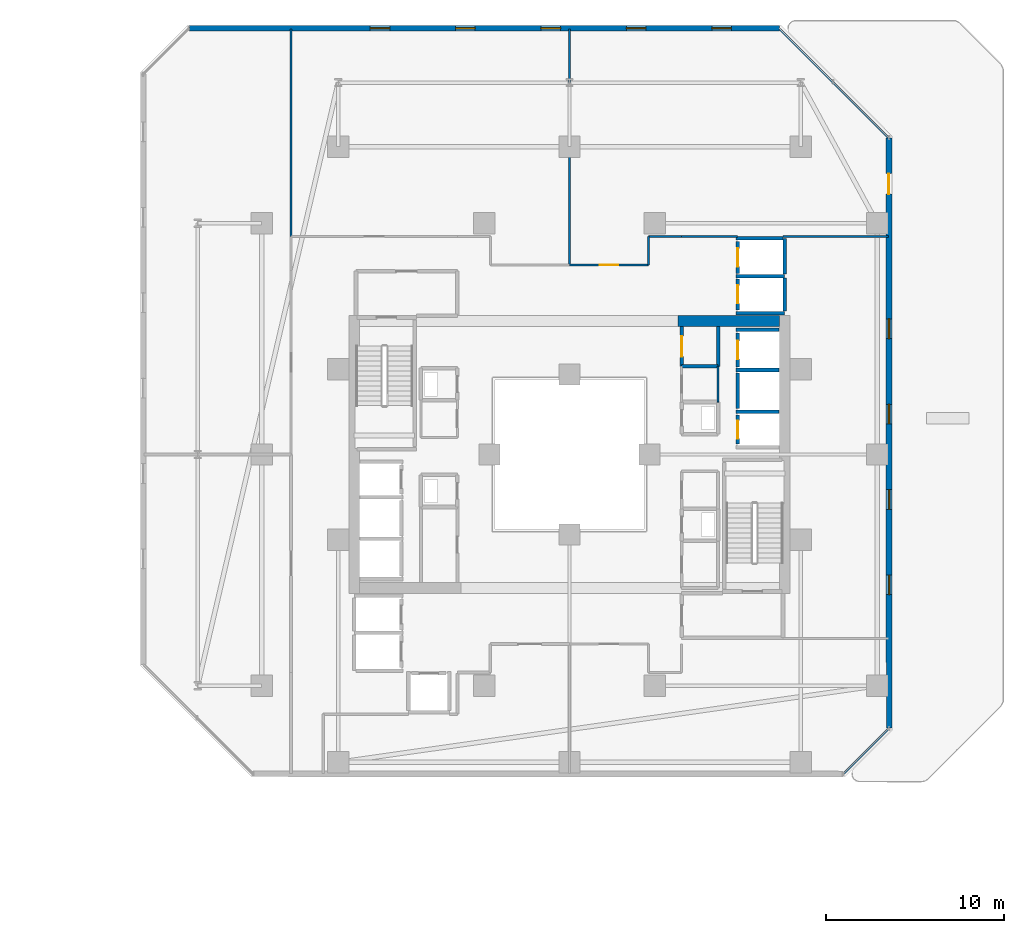
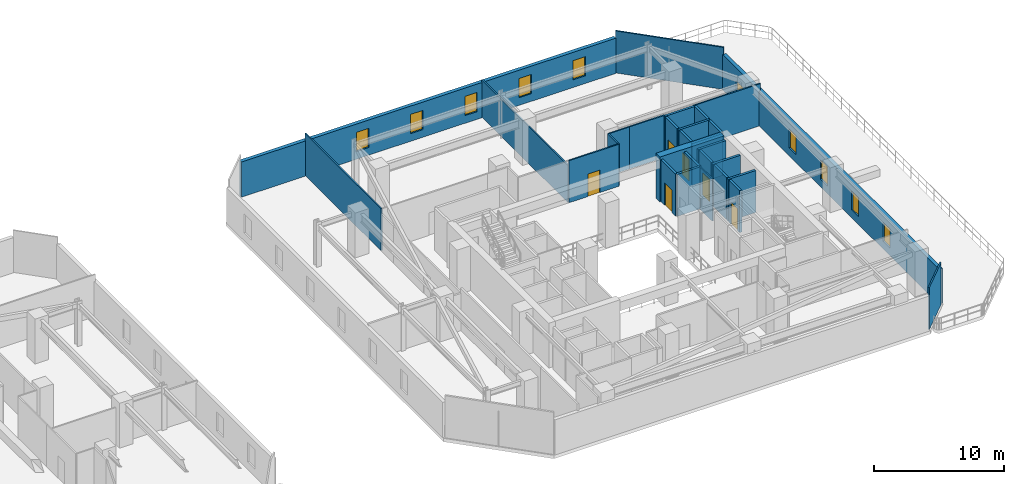
# One storey, part 22 of 30: 29 walls, 9 windows, 7 doors, 16 openings.
"""IFC4 building model written with IfcOpenShell, lengths in metres."""

from ifc_helpers import new_model, si_unit, direction, frame, frame_2d, origin, place, context, subcontext, project, spatial, rectangle, extrude, material, layer, layer_set, type_object, element, fill, save


model = new_model("IFC4")

# Units and contexts
model_context = context("Model", 3, precision=1e-05, world=origin(), true_north=direction((0.0, 1.0)))
body_context = subcontext(model_context, "Body", "Model", "MODEL_VIEW")
ifc_project = project(units=[si_unit("LENGTHUNIT", "METRE"), si_unit("AREAUNIT", "SQUARE_METRE"), si_unit("VOLUMEUNIT", "CUBIC_METRE"), si_unit("PLANEANGLEUNIT", "RADIAN"), si_unit("MASSUNIT", "GRAM", prefix="KILO")], contexts=[model_context])

# Site, building, storey
site_placement = place(None, origin())
site = spatial("IfcSite", under=ifc_project, at=site_placement, CompositionType="ELEMENT")
building_placement = place(site_placement, origin())
building = spatial("IfcBuilding", under=site, at=building_placement, Name="Thornwick Lancets Civic Towers", CompositionType="ELEMENT")
storey_placement = place(building_placement, frame((0.0, 0.0, 75.89990234375)))
storey = spatial("IfcBuildingStorey", under=building, at=storey_placement, Name="L19", CompositionType="ELEMENT", Elevation=75.89990234375)

# Wall, opening, door
ifc_material_1 = material(Name="Concrete blockwork C40/50", Category="masonry")
ifc_layer_1 = layer(ifc_material_1, 0.199951171875, Name="Concrete blockwork C40/50")
ifc_layer_set_1 = layer_set([ifc_layer_1], Name="Concrete blockwork C40/50")
wall_type_1 = type_object("IfcWallType", Name="WALL_COMP_200", PredefinedType="STANDARD", material=ifc_layer_set_1)
wall_1_placement = place(storey_placement, frame((97.949951171875, 29.219970703125, 0.0), z_axis=(0.0, 0.0, 1.0), x_axis=(0.0, -1.0, 0.0)))
wall_1 = element("IfcWall", 1, at=wall_1_placement, inside=storey, type_object=wall_type_1, Name="L19 Hoistway Front Wall FL-B1", PredefinedType="STANDARD", context=body_context, shape_type="SweptSolid", body=[
    extrude(rectangle(XDim=1.639892578125, YDim=0.199951171875, at=frame_2d((0.81982421875, 0.0))), origin(), (0.0, 0.0, 1.0), 3.940185546875),
])
opening_1_placement = place(wall_1_placement, frame((0.31005859375, 0.0, 0.0)))
opening_1 = element("IfcOpeningElement", 2, at=opening_1_placement, cuts=wall_1, Name="Opening LD-FL-B1", PredefinedType="OPENING", context=body_context, shape_type="SweptSolid", body=[
    extrude(rectangle(XDim=1.02001953125, YDim=2.06005859375, at=frame_2d((0.510009765625, 1.030029296875))), frame((0.0, 0.10986328125, 0.0), z_axis=(0.0, -1.0, 0.0), x_axis=(1.0, 0.0, 0.0)), (0.0, 0.0, 1.0), 0.219970703125),
])
ifc_material_2 = material(Name="Brushed bronze stainless steel", Category="steel")
door_type_1 = type_object("IfcDoorType", Name="DOOR_LIFT_SLIDE", OperationType="SLIDING_TO_LEFT", PredefinedType="DOOR", material=ifc_material_2)
door_1_placement = place(opening_1_placement, origin())
door_1 = element("IfcDoor", 3, at=door_1_placement, inside=storey, type_object=door_type_1, Name="L19 Sliding Lift Landing Door LD-FL-B1", OperationType="SLIDING_TO_LEFT", OverallHeight=2.06005859375, OverallWidth=1.02001953125, PredefinedType="DOOR", context=body_context, shape_type="SweptSolid", body=[
    extrude(rectangle(XDim=1.02001953125, YDim=2.06005859375, at=frame_2d((0.510009765625, 1.030029296875))), frame((0.0, 0.02490234375, 0.0), z_axis=(0.0, -1.0, 0.0), x_axis=(1.0, 0.0, 0.0)), (0.0, 0.0, 1.0), 0.050048828125),
])
fill(opening_1, door_1)

# Wall
wall_2_placement = place(storey_placement, frame((97.949951171875, 31.570068359375, 0.0), z_axis=(0.0, 0.0, 1.0), x_axis=(0.0, -1.0, 0.0)))
element("IfcWall", 4, at=wall_2_placement, inside=storey, type_object=wall_type_1, Name="L19 Hoistway Front Wall PL-BH1", PredefinedType="STANDARD", context=body_context, shape_type="SweptSolid", body=[
    extrude(rectangle(XDim=1.989990234375, YDim=0.199951171875, at=frame_2d((0.9951171875, 0.0))), origin(), (0.0, 0.0, 1.0), 3.940185546875),
])

# Wall, opening, door
wall_3_placement = place(storey_placement, frame((97.949951171875, 33.820068359375, 0.0), z_axis=(0.0, 0.0, 1.0), x_axis=(0.0, -1.0, 0.0)))
wall_3 = element("IfcWall", 5, at=wall_3_placement, inside=storey, type_object=wall_type_1, Name="L19 Hoistway Front Wall PL-BL1", PredefinedType="STANDARD", context=body_context, shape_type="SweptSolid", body=[
    extrude(rectangle(XDim=1.89013671875, YDim=0.199951171875, at=frame_2d((0.945068359375, 0.0))), origin(), (0.0, 0.0, 1.0), 3.940185546875),
])
opening_2_placement = place(wall_3_placement, frame((0.43505859375, 0.0, 0.0)))
opening_2 = element("IfcOpeningElement", 6, at=opening_2_placement, cuts=wall_3, Name="Opening LD-PL-BL1", PredefinedType="OPENING", context=body_context, shape_type="SweptSolid", body=[
    extrude(rectangle(XDim=1.02001953125, YDim=2.06005859375, at=frame_2d((0.510009765625, 1.030029296875))), frame((0.0, 0.10986328125, 0.0), z_axis=(0.0, -1.0, 0.0), x_axis=(1.0, 0.0, 0.0)), (0.0, 0.0, 1.0), 0.219970703125),
])
door_2_placement = place(opening_2_placement, origin())
door_2 = element("IfcDoor", 7, at=door_2_placement, inside=storey, type_object=door_type_1, Name="L19 Sliding Lift Landing Door LD-PL-BL1", OperationType="SLIDING_TO_LEFT", OverallHeight=2.06005859375, OverallWidth=1.02001953125, PredefinedType="DOOR", context=body_context, shape_type="SweptSolid", body=[
    extrude(rectangle(XDim=1.02001953125, YDim=2.06005859375, at=frame_2d((0.510009765625, 1.030029296875))), frame((0.0, 0.02490234375, 0.0), z_axis=(0.0, -1.0, 0.0), x_axis=(1.0, 0.0, 0.0)), (0.0, 0.0, 1.0), 0.050048828125),
])
fill(opening_2, door_2)

wall_4_placement = place(storey_placement, frame((97.949951171875, 36.8701171875, 0.0), z_axis=(0.0, 0.0, 1.0), x_axis=(0.0, -1.0, 0.0)))
wall_4 = element("IfcWall", 8, at=wall_4_placement, inside=storey, type_object=wall_type_1, Name="L19 Hoistway Front Wall PL-BL2", PredefinedType="STANDARD", context=body_context, shape_type="SweptSolid", body=[
    extrude(rectangle(XDim=1.740234375, YDim=0.199951171875, at=frame_2d((0.8701171875, 0.0))), origin(), (0.0, 0.0, 1.0), 3.940185546875),
])
opening_3_placement = place(wall_4_placement, frame((0.360107421875, 0.0, 0.0)))
opening_3 = element("IfcOpeningElement", 9, at=opening_3_placement, cuts=wall_4, Name="Opening LD-PL-BL2", PredefinedType="OPENING", context=body_context, shape_type="SweptSolid", body=[
    extrude(rectangle(XDim=1.02001953125, YDim=2.06005859375, at=frame_2d((0.510009765625, 1.030029296875))), frame((0.0, 0.10986328125, 0.0), z_axis=(0.0, -1.0, 0.0), x_axis=(1.0, 0.0, 0.0)), (0.0, 0.0, 1.0), 0.219970703125),
])
door_3_placement = place(opening_3_placement, origin())
door_3 = element("IfcDoor", 10, at=door_3_placement, inside=storey, type_object=door_type_1, Name="L19 Sliding Lift Landing Door LD-PL-BL2", OperationType="SLIDING_TO_LEFT", OverallHeight=2.06005859375, OverallWidth=1.02001953125, PredefinedType="DOOR", context=body_context, shape_type="SweptSolid", body=[
    extrude(rectangle(XDim=1.02001953125, YDim=2.06005859375, at=frame_2d((0.510009765625, 1.030029296875))), frame((0.0, 0.02490234375, 0.0), z_axis=(0.0, -1.0, 0.0), x_axis=(1.0, 0.0, 0.0)), (0.0, 0.0, 1.0), 0.050048828125),
])
fill(opening_3, door_3)

wall_5_placement = place(storey_placement, frame((97.949951171875, 38.969970703125, 0.0), z_axis=(0.0, 0.0, 1.0), x_axis=(0.0, -1.0, 0.0)))
wall_5 = element("IfcWall", 11, at=wall_5_placement, inside=storey, type_object=wall_type_1, Name="L19 Hoistway Front Wall PL-BL3", PredefinedType="STANDARD", context=body_context, shape_type="SweptSolid", body=[
    extrude(rectangle(XDim=1.7900390625, YDim=0.199951171875, at=frame_2d((0.89501953125, 0.0))), origin(), (0.0, 0.0, 1.0), 3.940185546875),
])
opening_4_placement = place(wall_5_placement, frame((0.385009765625, 0.0, 0.0)))
opening_4 = element("IfcOpeningElement", 12, at=opening_4_placement, cuts=wall_5, Name="Opening LD-PL-BL3", PredefinedType="OPENING", context=body_context, shape_type="SweptSolid", body=[
    extrude(rectangle(XDim=1.02001953125, YDim=2.06005859375, at=frame_2d((0.510009765625, 1.030029296875))), frame((0.0, 0.10986328125, 0.0), z_axis=(0.0, -1.0, 0.0), x_axis=(1.0, 0.0, 0.0)), (0.0, 0.0, 1.0), 0.219970703125),
])
door_4_placement = place(opening_4_placement, origin())
door_4 = element("IfcDoor", 13, at=door_4_placement, inside=storey, type_object=door_type_1, Name="L19 Sliding Lift Landing Door LD-PL-BL3", OperationType="SLIDING_TO_LEFT", OverallHeight=2.06005859375, OverallWidth=1.02001953125, PredefinedType="DOOR", context=body_context, shape_type="SweptSolid", body=[
    extrude(rectangle(XDim=1.02001953125, YDim=2.06005859375, at=frame_2d((0.510009765625, 1.030029296875))), frame((0.0, 0.02490234375, 0.0), z_axis=(0.0, -1.0, 0.0), x_axis=(1.0, 0.0, 0.0)), (0.0, 0.0, 1.0), 0.050048828125),
])
fill(opening_4, door_4)

# Walls
for number, where, z_axis, x_axis, name in (
    (14, (97.85205078125, 29.39990234375, 0.0), (0.0, 0.0, 1.0), (1.0, 0.0, 0.0), "L19 Hoistway Shaft Wall FL-B1 N"),
    (15, (97.85205078125, 31.75, 0.0), (0.0, 0.0, 1.0), (1.0, 0.0, 0.0), "L19 Hoistway Shaft Wall PL-BH1 N"),
    (16, (97.85205078125, 34.0, 0.0), (0.0, 0.0, 1.0), (1.0, 0.0, 0.0), "L19 Hoistway Shaft Wall PL-BL1 N"),
):
    element("IfcWall", number, at=place(storey_placement, frame(where, z_axis=z_axis, x_axis=x_axis)), inside=storey, type_object=wall_type_1, Name=name, PredefinedType="STANDARD", context=body_context, shape_type="SweptSolid", body=[
        extrude(rectangle(XDim=2.43603515625, YDim=0.199951171875, at=frame_2d((1.218017578125, 0.0))), origin(), (0.0, 0.0, 1.0), 3.940185546875),
    ])
for number, where, z_axis, x_axis, name in (
    (17, (97.85205078125, 37.02490234375, 0.0), (0.0, 0.0, 1.0), (1.0, 0.0, 0.0), "L19 Hoistway Shaft Wall PL-BL2 N"),
    (18, (97.85205078125, 34.949951171875, 0.0), (0.0, 0.0, 1.0), (1.0, 0.0, 0.0), "L19 Hoistway Shaft Wall PL-BL2 S"),
):
    element("IfcWall", number, at=place(storey_placement, frame(where, z_axis=z_axis, x_axis=x_axis)), inside=storey, type_object=wall_type_1, Name=name, PredefinedType="STANDARD", context=body_context, shape_type="SweptSolid", body=[
        extrude(rectangle(XDim=2.745849609375, YDim=0.199951171875, at=frame_2d((1.373046875, 0.0))), origin(), (0.0, 0.0, 1.0), 3.940185546875),
    ])
wall_6_placement = place(storey_placement, frame((100.60009765625, 35.06201171875, 0.0), z_axis=(0.0, 0.0, 1.0), x_axis=(0.0, 1.0, 0.0)))
element("IfcWall", 19, at=wall_6_placement, inside=storey, type_object=wall_type_1, Name="L19 Hoistway Shaft Wall PL-BL2 E", PredefinedType="STANDARD", context=body_context, shape_type="SweptSolid", body=[
    extrude(rectangle(XDim=1.85595703125, YDim=0.199951171875, at=frame_2d((0.927978515625, 0.0))), origin(), (0.0, 0.0, 1.0), 3.940185546875),
])
wall_7_placement = place(storey_placement, frame((100.60009765625, 37.132080078125, 0.0), z_axis=(0.0, 0.0, 1.0), x_axis=(0.0, 1.0, 0.0)))
element("IfcWall", 20, at=wall_7_placement, inside=storey, type_object=wall_type_1, Name="L19 Hoistway Shaft Wall PL-BL2 E", PredefinedType="STANDARD", context=body_context, shape_type="SweptSolid", body=[
    extrude(rectangle(XDim=2.015869140625, YDim=0.199951171875, at=frame_2d((1.0078125, 0.0))), origin(), (0.0, 0.0, 1.0), 3.940185546875),
])
wall_8_placement = place(storey_placement, frame((97.85205078125, 39.14990234375, 0.0), z_axis=(0.0, 0.0, 1.0), x_axis=(1.0, 0.0, 0.0)))
element("IfcWall", 21, at=wall_8_placement, inside=storey, type_object=wall_type_1, Name="L19 Hoistway Shaft Wall PL-BL3 N", PredefinedType="STANDARD", context=body_context, shape_type="SweptSolid", body=[
    extrude(rectangle(XDim=2.635986328125, YDim=0.199951171875, at=frame_2d((1.31787109375, 0.0))), origin(), (0.0, 0.0, 1.0), 3.940185546875),
])

# Wall, opening, door
wall_9_placement = place(storey_placement, frame((94.800048828125, 31.949951171875, 0.0), z_axis=(0.0, 0.0, 1.0), x_axis=(0.0, 1.0, 0.0)))
wall_9 = element("IfcWall", 22, at=wall_9_placement, inside=storey, type_object=wall_type_1, Name="L19 Partition L19-B-ITR2 E1", PredefinedType="STANDARD", context=body_context, shape_type="SweptSolid", body=[
    extrude(rectangle(XDim=2.25, YDim=0.199951171875, at=frame_2d((1.125, 0.0))), origin(), (0.0, 0.0, 1.0), 3.940185546875),
])
opening_5_placement = place(wall_9_placement, frame((0.550048828125, 0.0, 0.0)))
opening_5 = element("IfcOpeningElement", 23, at=opening_5_placement, cuts=wall_9, Name="Opening D-L19-0912", PredefinedType="OPENING", context=body_context, shape_type="SweptSolid", body=[
    extrude(rectangle(XDim=1.14990234375, YDim=2.10009765625, at=frame_2d((0.574951171875, 1.050048828125))), frame((0.0, 0.10986328125, 0.0), z_axis=(0.0, -1.0, 0.0), x_axis=(1.0, 0.0, 0.0)), (0.0, 0.0, 1.0), 0.219970703125),
])
ifc_material_3 = material(Name="Glazed fire-resisting steel", Category="steel")
door_type_2 = type_object("IfcDoorType", Name="DOOR_LOBBY_FD60", OperationType="NOTDEFINED", PredefinedType="DOOR", material=ifc_material_3)
door_5_placement = place(opening_5_placement, origin())
door_5 = element("IfcDoor", 24, at=door_5_placement, inside=storey, type_object=door_type_2, Name="L19 Tower B Statutory Core Archive Door", OperationType="SINGLE_SWING_LEFT", OverallHeight=2.10009765625, OverallWidth=1.14990234375, PredefinedType="DOOR", context=body_context, shape_type="SweptSolid", body=[
    extrude(rectangle(XDim=1.14990234375, YDim=2.10009765625, at=frame_2d((0.574951171875, 1.050048828125))), frame((0.0, 0.02490234375, 0.0), z_axis=(0.0, -1.0, 0.0), x_axis=(1.0, 0.0, 0.0)), (0.0, 0.0, 1.0), 0.050048828125),
])
fill(opening_5, door_5)

# Walls
wall_10_placement = place(storey_placement, frame((96.85009765625, 34.199951171875, 0.0), z_axis=(0.0, 0.0, 1.0), x_axis=(0.0, -1.0, 0.0)))
element("IfcWall", 25, at=wall_10_placement, inside=storey, type_object=wall_type_1, Name="L19 Partition L19-B-ITR2 E3", PredefinedType="STANDARD", context=body_context, shape_type="SweptSolid", body=[
    extrude(rectangle(XDim=2.25, YDim=0.199951171875, at=frame_2d((1.125, 0.0))), origin(), (0.0, 0.0, 1.0), 3.940185546875),
])
wall_11_placement = place(storey_placement, frame((96.85009765625, 31.949951171875, 0.0), z_axis=(0.0, 0.0, 1.0), x_axis=(-1.0, 0.0, 0.0)))
element("IfcWall", 26, at=wall_11_placement, inside=storey, type_object=wall_type_1, Name="L19 Partition L19-B-ITR2 E4", PredefinedType="STANDARD", context=body_context, shape_type="SweptSolid", body=[
    extrude(rectangle(XDim=2.050048828125, YDim=0.199951171875, at=frame_2d((1.02490234375, 0.0))), origin(), (0.0, 0.0, 1.0), 3.940185546875),
])
ifc_material_4 = material(Name="Concrete C60/75", Category="concrete")
ifc_layer_2 = layer(ifc_material_4, 0.60009765625, Name="Concrete C60/75")
ifc_layer_set_2 = layer_set([ifc_layer_2], Name="Concrete C60/75")
wall_type_2 = type_object("IfcWallType", Name="WALL_CORE_600", PredefinedType="SHEAR", material=ifc_layer_set_2)
wall_12_placement = place(storey_placement, frame((94.60009765625, 34.5, 0.0), z_axis=(0.0, 0.0, 1.0), x_axis=(1.0, 0.0, 0.0)))
element("IfcWall", 27, at=wall_12_placement, inside=storey, type_object=wall_type_2, Name="L19 Split Core B1 Shear Wall N", PredefinedType="SHEAR", context=body_context, shape_type="SweptSolid", body=[
    extrude(rectangle(XDim=5.699951171875, YDim=0.60009765625, at=frame_2d((2.85009765625, 0.0))), origin(), (0.0, 0.0, 1.0), 4.2001953125),
])

# Wall, openings, door, windows
ifc_material_5 = material(Name="Insulated buff terracotta rainscreen on concrete C40/50", Category="masonry")
ifc_layer_3 = layer(ifc_material_5, 0.320068359375, Name="Insulated buff terracotta rainscreen on concrete C40/50")
ifc_layer_set_3 = layer_set([ifc_layer_3], Name="Insulated buff terracotta rainscreen on concrete C40/50")
wall_type_3 = type_object("IfcWallType", Name="WALL_EXT_TERRA_320", PredefinedType="STANDARD", material=ifc_layer_set_3)
wall_13_placement = place(storey_placement, frame((106.464599609375, 11.61865234375, 0.0), z_axis=(0.0, 0.0, 1.0), x_axis=(-0.000353213856, 0.99999993762, 0.0)))
wall_13 = element("IfcWall", 28, at=wall_13_placement, inside=storey, type_object=wall_type_3, Name="L19 Tower B Terracotta Facade Wall E2", PredefinedType="STANDARD", context=body_context, shape_type="SweptSolid", body=[
    extrude(rectangle(XDim=33.177490234375, YDim=0.320068359375, at=frame_2d((16.5888671875, 0.0))), origin(), (0.0, 0.0, 1.0), 3.300048828125),
])
opening_6_placement = place(wall_13_placement, frame((30.013916015625, 0.0, 0.0)))
opening_6 = element("IfcOpeningElement", 29, at=opening_6_placement, cuts=wall_13, Name="Opening D-SG-L19-B2", PredefinedType="OPENING", context=body_context, shape_type="SweptSolid", body=[
    extrude(rectangle(XDim=1.14990234375, YDim=2.10009765625, at=frame_2d((0.574951171875, 1.050048828125))), frame((0.0, 0.169921875, 0.0), z_axis=(0.0, -1.0, 0.0), x_axis=(1.0, 0.0, 0.0)), (0.0, 0.0, 1.0), 0.340087890625),
])
opening_7_placement = place(wall_13_placement, frame((7.5, 0.0, 0.719970703125)))
opening_7 = element("IfcOpeningElement", 30, at=opening_7_placement, cuts=wall_13, Name="Opening WL-02", PredefinedType="OPENING", context=body_context, shape_type="SweptSolid", body=[
    extrude(rectangle(XDim=1.10009765625, YDim=1.800048828125, at=frame_2d((0.550048828125, 0.89990234375))), frame((0.0, 0.169921875, 0.0), z_axis=(0.0, -1.0, 0.0), x_axis=(1.0, 0.0, 0.0)), (0.0, 0.0, 1.0), 0.340087890625),
])
opening_8_placement = place(wall_13_placement, frame((12.300048828125, 0.0, 0.719970703125)))
opening_8 = element("IfcOpeningElement", 31, at=opening_8_placement, cuts=wall_13, Name="Opening WL-02", PredefinedType="OPENING", context=body_context, shape_type="SweptSolid", body=[
    extrude(rectangle(XDim=1.10009765625, YDim=1.800048828125, at=frame_2d((0.550048828125, 0.89990234375))), frame((0.0, 0.169921875, 0.0), z_axis=(0.0, -1.0, 0.0), x_axis=(1.0, 0.0, 0.0)), (0.0, 0.0, 1.0), 0.340087890625),
])
opening_9_placement = place(wall_13_placement, frame((17.10009765625, 0.0, 0.719970703125)))
opening_9 = element("IfcOpeningElement", 32, at=opening_9_placement, cuts=wall_13, Name="Opening WL-02", PredefinedType="OPENING", context=body_context, shape_type="SweptSolid", body=[
    extrude(rectangle(XDim=1.10009765625, YDim=1.800048828125, at=frame_2d((0.550048828125, 0.89990234375))), frame((0.0, 0.169921875, 0.0), z_axis=(0.0, -1.0, 0.0), x_axis=(1.0, 0.0, 0.0)), (0.0, 0.0, 1.0), 0.340087890625),
])
opening_10_placement = place(wall_13_placement, frame((21.89990234375, 0.0, 0.719970703125)))
opening_10 = element("IfcOpeningElement", 33, at=opening_10_placement, cuts=wall_13, Name="Opening WL-02", PredefinedType="OPENING", context=body_context, shape_type="SweptSolid", body=[
    extrude(rectangle(XDim=1.10009765625, YDim=1.800048828125, at=frame_2d((0.550048828125, 0.89990234375))), frame((0.0, 0.169921875, 0.0), z_axis=(0.0, -1.0, 0.0), x_axis=(1.0, 0.0, 0.0)), (0.0, 0.0, 1.0), 0.340087890625),
])
ifc_material_6 = material(Name="Thermally broken glazed terrace doorset")
door_type_3 = type_object("IfcDoorType", Name="DOOR_TERRACE_1200", OperationType="NOTDEFINED", PredefinedType="DOOR", material=ifc_material_6)
door_6_placement = place(opening_6_placement, origin())
door_6 = element("IfcDoor", 34, at=door_6_placement, inside=storey, type_object=door_type_3, Name="L19 Tower B Sky-Garden Terrace Door", OperationType="SINGLE_SWING_RIGHT", OverallHeight=2.10009765625, OverallWidth=1.14990234375, PredefinedType="DOOR", context=body_context, shape_type="SweptSolid", body=[
    extrude(rectangle(XDim=1.14990234375, YDim=2.10009765625, at=frame_2d((0.574951171875, 1.050048828125))), frame((0.0, 0.02490234375, 0.0), z_axis=(0.0, -1.0, 0.0), x_axis=(1.0, 0.0, 0.0)), (0.0, 0.0, 1.0), 0.050048828125),
])
fill(opening_6, door_6)
ifc_material_7 = material(Name="Clear low-e double glazing in bronze frame", Category="glass")
window_type = type_object("IfcWindowType", Name="WIN_LANCET_1100", PartitioningType="SINGLE_PANEL", PredefinedType="WINDOW", material=ifc_material_7)
window_1_placement = place(opening_7_placement, origin())
window_1 = element("IfcWindow", 35, at=window_1_placement, inside=storey, type_object=window_type, Name="L19 Tower B Staggered Lancet Window E2-1", OverallHeight=1.800048828125, OverallWidth=1.10009765625, PartitioningType="SINGLE_PANEL", PredefinedType="WINDOW", context=body_context, shape_type="SweptSolid", body=[
    extrude(rectangle(XDim=1.10009765625, YDim=1.800048828125, at=frame_2d((0.550048828125, 0.89990234375))), frame((0.0, 0.030029296875, 0.0), z_axis=(0.0, -1.0, 0.0), x_axis=(1.0, 0.0, 0.0)), (0.0, 0.0, 1.0), 0.06005859375),
])
fill(opening_7, window_1)
window_2_placement = place(opening_8_placement, origin())
window_2 = element("IfcWindow", 36, at=window_2_placement, inside=storey, type_object=window_type, Name="L19 Tower B Staggered Lancet Window E2-2", OverallHeight=1.800048828125, OverallWidth=1.10009765625, PartitioningType="SINGLE_PANEL", PredefinedType="WINDOW", context=body_context, shape_type="SweptSolid", body=[
    extrude(rectangle(XDim=1.10009765625, YDim=1.800048828125, at=frame_2d((0.550048828125, 0.89990234375))), frame((0.0, 0.030029296875, 0.0), z_axis=(0.0, -1.0, 0.0), x_axis=(1.0, 0.0, 0.0)), (0.0, 0.0, 1.0), 0.06005859375),
])
fill(opening_8, window_2)
window_3_placement = place(opening_9_placement, origin())
window_3 = element("IfcWindow", 37, at=window_3_placement, inside=storey, type_object=window_type, Name="L19 Tower B Staggered Lancet Window E2-3", OverallHeight=1.800048828125, OverallWidth=1.10009765625, PartitioningType="SINGLE_PANEL", PredefinedType="WINDOW", context=body_context, shape_type="SweptSolid", body=[
    extrude(rectangle(XDim=1.10009765625, YDim=1.800048828125, at=frame_2d((0.550048828125, 0.89990234375))), frame((0.0, 0.030029296875, 0.0), z_axis=(0.0, -1.0, 0.0), x_axis=(1.0, 0.0, 0.0)), (0.0, 0.0, 1.0), 0.06005859375),
])
fill(opening_9, window_3)
window_4_placement = place(opening_10_placement, origin())
window_4 = element("IfcWindow", 38, at=window_4_placement, inside=storey, type_object=window_type, Name="L19 Tower B Staggered Lancet Window E2-4", OverallHeight=1.800048828125, OverallWidth=1.10009765625, PartitioningType="SINGLE_PANEL", PredefinedType="WINDOW", context=body_context, shape_type="SweptSolid", body=[
    extrude(rectangle(XDim=1.10009765625, YDim=1.800048828125, at=frame_2d((0.550048828125, 0.89990234375))), frame((0.0, 0.030029296875, 0.0), z_axis=(0.0, -1.0, 0.0), x_axis=(1.0, 0.0, 0.0)), (0.0, 0.0, 1.0), 0.06005859375),
])
fill(opening_10, window_4)

# Wall, openings, windows
wall_14_placement = place(storey_placement, frame((100.296142578125, 50.952880859375, 0.0), z_axis=(0.0, 0.0, 1.0), x_axis=(-0.99999993762, 0.000353213856, 0.0)))
wall_14 = element("IfcWall", 39, at=wall_14_placement, inside=storey, type_object=wall_type_3, Name="L19 Tower B Terracotta Facade Wall E4", PredefinedType="STANDARD", context=body_context, shape_type="SweptSolid", body=[
    extrude(rectangle(XDim=33.177490234375, YDim=0.320068359375, at=frame_2d((16.5888671875, 0.0))), origin(), (0.0, 0.0, 1.0), 3.300048828125),
])
opening_11_placement = place(wall_14_placement, frame((2.699951171875, 0.0, 0.719970703125)))
opening_11 = element("IfcOpeningElement", 40, at=opening_11_placement, cuts=wall_14, Name="Opening WL-02", PredefinedType="OPENING", context=body_context, shape_type="SweptSolid", body=[
    extrude(rectangle(XDim=1.10009765625, YDim=1.800048828125, at=frame_2d((0.550048828125, 0.89990234375))), frame((0.0, 0.169921875, 0.0), z_axis=(0.0, -1.0, 0.0), x_axis=(1.0, 0.0, 0.0)), (0.0, 0.0, 1.0), 0.340087890625),
])
opening_12_placement = place(wall_14_placement, frame((7.5, 0.0, 0.719970703125)))
opening_12 = element("IfcOpeningElement", 41, at=opening_12_placement, cuts=wall_14, Name="Opening WL-02", PredefinedType="OPENING", context=body_context, shape_type="SweptSolid", body=[
    extrude(rectangle(XDim=1.10009765625, YDim=1.800048828125, at=frame_2d((0.550048828125, 0.89990234375))), frame((0.0, 0.169921875, 0.0), z_axis=(0.0, -1.0, 0.0), x_axis=(1.0, 0.0, 0.0)), (0.0, 0.0, 1.0), 0.340087890625),
])
opening_13_placement = place(wall_14_placement, frame((12.300048828125, 0.0, 0.719970703125)))
opening_13 = element("IfcOpeningElement", 42, at=opening_13_placement, cuts=wall_14, Name="Opening WL-02", PredefinedType="OPENING", context=body_context, shape_type="SweptSolid", body=[
    extrude(rectangle(XDim=1.10009765625, YDim=1.800048828125, at=frame_2d((0.550048828125, 0.89990234375))), frame((0.0, 0.169921875, 0.0), z_axis=(0.0, -1.0, 0.0), x_axis=(1.0, 0.0, 0.0)), (0.0, 0.0, 1.0), 0.340087890625),
])
opening_14_placement = place(wall_14_placement, frame((17.10009765625, 0.0, 0.719970703125)))
opening_14 = element("IfcOpeningElement", 43, at=opening_14_placement, cuts=wall_14, Name="Opening WL-02", PredefinedType="OPENING", context=body_context, shape_type="SweptSolid", body=[
    extrude(rectangle(XDim=1.10009765625, YDim=1.800048828125, at=frame_2d((0.550048828125, 0.89990234375))), frame((0.0, 0.169921875, 0.0), z_axis=(0.0, -1.0, 0.0), x_axis=(1.0, 0.0, 0.0)), (0.0, 0.0, 1.0), 0.340087890625),
])
opening_15_placement = place(wall_14_placement, frame((21.89990234375, 0.0, 0.719970703125)))
opening_15 = element("IfcOpeningElement", 44, at=opening_15_placement, cuts=wall_14, Name="Opening WL-02", PredefinedType="OPENING", context=body_context, shape_type="SweptSolid", body=[
    extrude(rectangle(XDim=1.10009765625, YDim=1.800048828125, at=frame_2d((0.550048828125, 0.89990234375))), frame((0.0, 0.169921875, 0.0), z_axis=(0.0, -1.0, 0.0), x_axis=(1.0, 0.0, 0.0)), (0.0, 0.0, 1.0), 0.340087890625),
])
window_5_placement = place(opening_11_placement, origin())
window_5 = element("IfcWindow", 45, at=window_5_placement, inside=storey, type_object=window_type, Name="L19 Tower B Staggered Lancet Window E4-1", OverallHeight=1.800048828125, OverallWidth=1.10009765625, PartitioningType="SINGLE_PANEL", PredefinedType="WINDOW", context=body_context, shape_type="SweptSolid", body=[
    extrude(rectangle(XDim=1.10009765625, YDim=1.800048828125, at=frame_2d((0.550048828125, 0.89990234375))), frame((0.0, 0.030029296875, 0.0), z_axis=(0.0, -1.0, 0.0), x_axis=(1.0, 0.0, 0.0)), (0.0, 0.0, 1.0), 0.06005859375),
])
fill(opening_11, window_5)
window_6_placement = place(opening_12_placement, origin())
window_6 = element("IfcWindow", 46, at=window_6_placement, inside=storey, type_object=window_type, Name="L19 Tower B Staggered Lancet Window E4-2", OverallHeight=1.800048828125, OverallWidth=1.10009765625, PartitioningType="SINGLE_PANEL", PredefinedType="WINDOW", context=body_context, shape_type="SweptSolid", body=[
    extrude(rectangle(XDim=1.10009765625, YDim=1.800048828125, at=frame_2d((0.550048828125, 0.89990234375))), frame((0.0, 0.030029296875, 0.0), z_axis=(0.0, -1.0, 0.0), x_axis=(1.0, 0.0, 0.0)), (0.0, 0.0, 1.0), 0.06005859375),
])
fill(opening_12, window_6)
window_7_placement = place(opening_13_placement, origin())
window_7 = element("IfcWindow", 47, at=window_7_placement, inside=storey, type_object=window_type, Name="L19 Tower B Staggered Lancet Window E4-3", OverallHeight=1.800048828125, OverallWidth=1.10009765625, PartitioningType="SINGLE_PANEL", PredefinedType="WINDOW", context=body_context, shape_type="SweptSolid", body=[
    extrude(rectangle(XDim=1.10009765625, YDim=1.800048828125, at=frame_2d((0.550048828125, 0.89990234375))), frame((0.0, 0.030029296875, 0.0), z_axis=(0.0, -1.0, 0.0), x_axis=(1.0, 0.0, 0.0)), (0.0, 0.0, 1.0), 0.06005859375),
])
fill(opening_13, window_7)
window_8_placement = place(opening_14_placement, origin())
window_8 = element("IfcWindow", 48, at=window_8_placement, inside=storey, type_object=window_type, Name="L19 Tower B Staggered Lancet Window E4-4", OverallHeight=1.800048828125, OverallWidth=1.10009765625, PartitioningType="SINGLE_PANEL", PredefinedType="WINDOW", context=body_context, shape_type="SweptSolid", body=[
    extrude(rectangle(XDim=1.10009765625, YDim=1.800048828125, at=frame_2d((0.550048828125, 0.89990234375))), frame((0.0, 0.030029296875, 0.0), z_axis=(0.0, -1.0, 0.0), x_axis=(1.0, 0.0, 0.0)), (0.0, 0.0, 1.0), 0.06005859375),
])
fill(opening_14, window_8)
window_9_placement = place(opening_15_placement, origin())
window_9 = element("IfcWindow", 49, at=window_9_placement, inside=storey, type_object=window_type, Name="L19 Tower B Staggered Lancet Window E4-5", OverallHeight=1.800048828125, OverallWidth=1.10009765625, PartitioningType="SINGLE_PANEL", PredefinedType="WINDOW", context=body_context, shape_type="SweptSolid", body=[
    extrude(rectangle(XDim=1.10009765625, YDim=1.800048828125, at=frame_2d((0.550048828125, 0.89990234375))), frame((0.0, 0.030029296875, 0.0), z_axis=(0.0, -1.0, 0.0), x_axis=(1.0, 0.0, 0.0)), (0.0, 0.0, 1.0), 0.06005859375),
])
fill(opening_15, window_9)

# Walls
ifc_material_8 = material(Name="Lightweight cellular office partition")
ifc_layer_4 = layer(ifc_material_8, 0.10009765625, Name="Lightweight cellular office partition")
ifc_layer_set_4 = layer_set([ifc_layer_4], Name="Lightweight cellular office partition")
wall_type_4 = type_object("IfcWallType", Name="WALL_PART_100", PredefinedType="PARTITIONING", material=ifc_layer_set_4)
wall_15_placement = place(storey_placement, frame((96.85009765625, 31.949951171875, 0.0), z_axis=(0.0, 0.0, 1.0), x_axis=(0.0, -1.0, 0.0)))
element("IfcWall", 50, at=wall_15_placement, inside=storey, type_object=wall_type_4, Name="L19 Partition L19-B-CLN E3", PredefinedType="PARTITIONING", context=body_context, shape_type="SweptSolid", body=[
    extrude(rectangle(XDim=2.0, YDim=0.10009765625, at=frame_2d((1.0, 0.0))), origin(), (0.0, 0.0, 1.0), 3.940185546875),
])
ifc_material_9 = material(Name="Acoustic gypsum board partition")
ifc_layer_5 = layer(ifc_material_9, 0.1201171875, Name="Acoustic gypsum board partition")
ifc_layer_set_5 = layer_set([ifc_layer_5], Name="Acoustic gypsum board partition")
wall_type_5 = type_object("IfcWallType", Name="WALL_PART_120", PredefinedType="PARTITIONING", material=ifc_layer_set_5)
wall_16_placement = place(storey_placement, frame((106.419921875, 11.57470703125, 0.0), z_axis=(0.0, 0.0, 1.0), x_axis=(-0.707106781187, -0.707106781187, 0.0)))
element("IfcWall", 51, at=wall_16_placement, inside=storey, type_object=wall_type_5, Name="L19 Partition L19-B-W1 E7", PredefinedType="PARTITIONING", context=body_context, shape_type="SweptSolid", body=[
    extrude(rectangle(XDim=3.52783203125, YDim=0.1201171875, at=frame_2d((1.763916015625, 0.0))), origin(), (0.0, 0.0, 1.0), 3.940185546875),
])
wall_17_placement = place(storey_placement, frame((106.419921875, 39.25, 0.0), z_axis=(0.0, 0.0, 1.0), x_axis=(-1.0, 0.0, 0.0)))
element("IfcWall", 52, at=wall_17_placement, inside=storey, type_object=wall_type_5, Name="L19 Partition L19-B-E1 E2", PredefinedType="PARTITIONING", context=body_context, shape_type="SweptSolid", body=[
    extrude(rectangle(XDim=5.931884765625, YDim=0.1201171875, at=frame_2d((2.9658203125, 0.0))), origin(), (0.0, 0.0, 1.0), 3.940185546875),
])
wall_18_placement = place(storey_placement, frame((97.949951171875, 39.25, 0.0), z_axis=(0.0, 0.0, 1.0), x_axis=(-1.0, 0.0, 0.0)))
element("IfcWall", 53, at=wall_18_placement, inside=storey, type_object=wall_type_5, Name="L19 Partition L19-B-E1 E3", PredefinedType="PARTITIONING", context=body_context, shape_type="SweptSolid", body=[
    extrude(rectangle(XDim=3.14990234375, YDim=0.1201171875, at=frame_2d((1.574951171875, 0.0))), origin(), (0.0, 0.0, 1.0), 3.940185546875),
])
wall_19_placement = place(storey_placement, frame((94.800048828125, 39.25, 0.0), z_axis=(0.0, 0.0, 1.0), x_axis=(-1.0, 0.0, 0.0)))
element("IfcWall", 54, at=wall_19_placement, inside=storey, type_object=wall_type_5, Name="L19 Partition L19-B-E1 E4", PredefinedType="PARTITIONING", context=body_context, shape_type="SweptSolid", body=[
    extrude(rectangle(XDim=1.85009765625, YDim=0.1201171875, at=frame_2d((0.925048828125, 0.0))), origin(), (0.0, 0.0, 1.0), 3.940185546875),
])
wall_20_placement = place(storey_placement, frame((92.949951171875, 39.25, 0.0), z_axis=(0.0, 0.0, 1.0), x_axis=(0.0, -1.0, 0.0)))
element("IfcWall", 55, at=wall_20_placement, inside=storey, type_object=wall_type_5, Name="L19 Partition L19-B-E1 E5", PredefinedType="PARTITIONING", context=body_context, shape_type="SweptSolid", body=[
    extrude(rectangle(XDim=1.60009765625, YDim=0.1201171875, at=frame_2d((0.800048828125, 0.0))), origin(), (0.0, 0.0, 1.0), 3.940185546875),
])

# Wall, opening, door
wall_21_placement = place(storey_placement, frame((92.949951171875, 37.64990234375, 0.0), z_axis=(0.0, 0.0, 1.0), x_axis=(-1.0, 0.0, 0.0)))
wall_21 = element("IfcWall", 56, at=wall_21_placement, inside=storey, type_object=wall_type_5, Name="L19 Partition L19-B-E1 E6", PredefinedType="PARTITIONING", context=body_context, shape_type="SweptSolid", body=[
    extrude(rectangle(XDim=4.449951171875, YDim=0.1201171875, at=frame_2d((2.22509765625, 0.0))), origin(), (0.0, 0.0, 1.0), 3.940185546875),
])
opening_16_placement = place(wall_21_placement, frame((1.699951171875, 0.0, 0.0)))
opening_16 = element("IfcOpeningElement", 57, at=opening_16_placement, cuts=wall_21, Name="Opening D-L19-0923", PredefinedType="OPENING", context=body_context, shape_type="SweptSolid", body=[
    extrude(rectangle(XDim=1.050048828125, YDim=2.10009765625, at=frame_2d((0.52490234375, 1.050048828125))), frame((0.0, 0.070068359375, 0.0), z_axis=(0.0, -1.0, 0.0), x_axis=(1.0, 0.0, 0.0)), (0.0, 0.0, 1.0), 0.14013671875),
])
ifc_material_10 = material(Name="Glazed European oak executive doorset")
door_type_4 = type_object("IfcDoorType", Name="DOOR_OFFICE_1050", OperationType="NOTDEFINED", PredefinedType="DOOR", material=ifc_material_10)
door_7_placement = place(opening_16_placement, origin())
door_7 = element("IfcDoor", 58, at=door_7_placement, inside=storey, type_object=door_type_4, Name="L19 Tower B Secretariat Open Office E1 Door", OperationType="SINGLE_SWING_RIGHT", OverallHeight=2.10009765625, OverallWidth=1.050048828125, PredefinedType="DOOR", context=body_context, shape_type="SweptSolid", body=[
    extrude(rectangle(XDim=1.050048828125, YDim=2.10009765625, at=frame_2d((0.52490234375, 1.050048828125))), frame((0.0, 0.02490234375, 0.0), z_axis=(0.0, -1.0, 0.0), x_axis=(1.0, 0.0, 0.0)), (0.0, 0.0, 1.0), 0.050048828125),
])
fill(opening_16, door_7)

# Walls
wall_22_placement = place(storey_placement, frame((88.5, 37.64990234375, 0.0), z_axis=(0.0, 0.0, 1.0), x_axis=(0.0, 1.0, 0.0)))
element("IfcWall", 59, at=wall_22_placement, inside=storey, type_object=wall_type_5, Name="L19 Partition L19-B-E1 E7", PredefinedType="PARTITIONING", context=body_context, shape_type="SweptSolid", body=[
    extrude(rectangle(XDim=13.27001953125, YDim=0.1201171875, at=frame_2d((6.635009765625, 0.0))), origin(), (0.0, 0.0, 1.0), 3.481689453125),
])
wall_23_placement = place(storey_placement, frame((100.325439453125, 50.919921875, 0.0), z_axis=(0.0, 0.0, 1.0), x_axis=(0.707106781187, -0.707106781187, 0.0)))
element("IfcWall", 60, at=wall_23_placement, inside=storey, type_object=wall_type_5, Name="L19 Partition L19-B-E1 E9", PredefinedType="PARTITIONING", context=body_context, shape_type="SweptSolid", body=[
    extrude(rectangle(XDim=8.618896484375, YDim=0.1201171875, at=frame_2d((4.3095703125, 0.0))), origin(), (0.0, 0.0, 1.0), 3.940185546875),
])
wall_24_placement = place(storey_placement, frame((72.85009765625, 39.25, 0.0), z_axis=(0.0, 0.0, 1.0), x_axis=(0.0, 1.0, 0.0)))
element("IfcWall", 61, at=wall_24_placement, inside=storey, type_object=wall_type_5, Name="L19 Partition L19-B-E2 E4", PredefinedType="PARTITIONING", context=body_context, shape_type="SweptSolid", body=[
    extrude(rectangle(XDim=11.669921875, YDim=0.1201171875, at=frame_2d((5.8349609375, 0.0))), origin(), (0.0, 0.0, 1.0), 3.940185546875),
])

save(model, "model.ifc")
